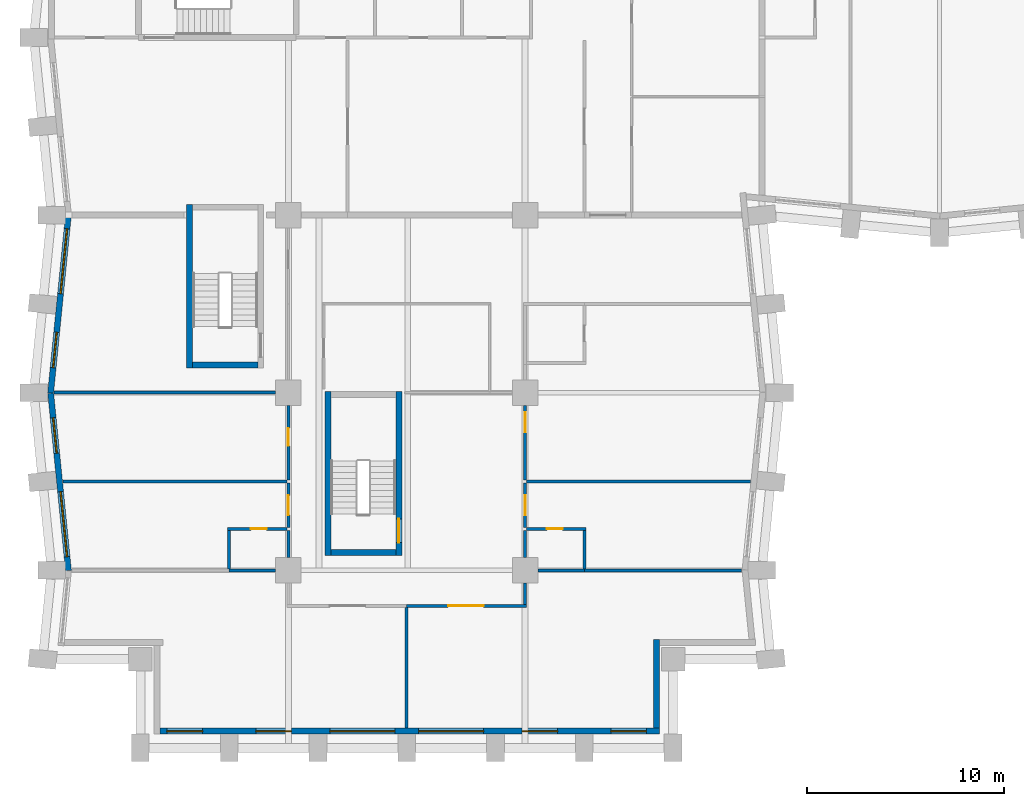
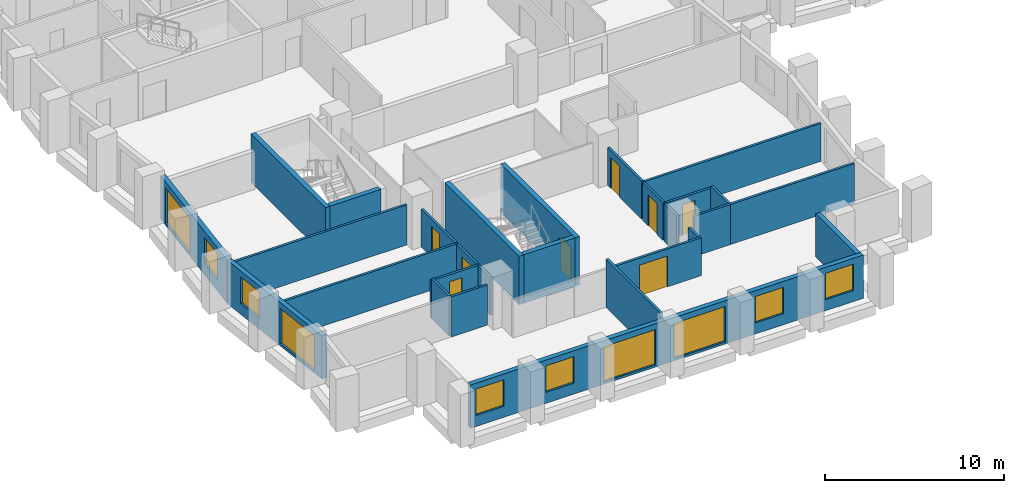
# One storey, part 3 of 12: 28 walls, 10 windows, 8 doors, 18 openings.
"""IFC4 building model written with IfcOpenShell, lengths in metres."""

from ifc_helpers import new_model, si_unit, direction, frame, frame_2d, origin, place, context, subcontext, project, spatial, rectangle, extrude, material, layer, layer_set, type_object, element, fill, save


model = new_model("IFC4")

# Units and contexts
model_context = context("Model", 3, precision=1e-05, world=origin(), true_north=direction((0.0, 1.0)))
body_context = subcontext(model_context, "Body", "Model", "MODEL_VIEW")
ifc_project = project(units=[si_unit("LENGTHUNIT", "METRE"), si_unit("AREAUNIT", "SQUARE_METRE"), si_unit("VOLUMEUNIT", "CUBIC_METRE"), si_unit("PLANEANGLEUNIT", "RADIAN"), si_unit("MASSUNIT", "GRAM", prefix="KILO")], contexts=[model_context])

# Site, building, storey
site_placement = place(None, origin())
site = spatial("IfcSite", under=ifc_project, at=site_placement, CompositionType="ELEMENT")
building_placement = place(site_placement, origin())
building = spatial("IfcBuilding", under=site, at=building_placement, Name="Brondeck Convention Tower", CompositionType="ELEMENT")
storey_placement = place(building_placement, frame((0.0, 0.0, 66.300048828125)))
storey = spatial("IfcBuildingStorey", under=building, at=storey_placement, Name="L14", CompositionType="ELEMENT", Elevation=66.300048828125)

# Wall, openings, windows
ifc_material_1 = material(Name="Precast concrete C50/60 bronze finish", Category="concrete")
ifc_layer_1 = layer(ifc_material_1, 0.070068359375, Name="Bronze precast facing")
ifc_material_2 = material(Name="Mineral wool")
ifc_layer_2 = layer(ifc_material_2, 0.159912109375, Name="Insulation")
ifc_material_3 = material(Name="Concrete C35/45", Category="concrete")
ifc_layer_3 = layer(ifc_material_3, 0.070068359375, Name="Backing")
ifc_layer_set_1 = layer_set([ifc_layer_1, ifc_layer_2, ifc_layer_3], Name="External infill wall, precast concrete C50/60 bronze facing")
wall_type_1 = type_object("IfcWallType", Name="External infill wall, precast concrete C50/60 bronze facing", PredefinedType="SOLIDWALL", material=ifc_layer_set_1)
wall_1_placement = place(storey_placement, frame((30.800048828125, 0.85009765625, 0.0), z_axis=(0.0, 0.0, 1.0), x_axis=(-1.0, 0.0, 0.0)))
wall_1 = element("IfcWall", 1, at=wall_1_placement, inside=storey, type_object=wall_type_1, Name="ENV-EW-L14-P0-B-S0-01", PredefinedType="SOLIDWALL", context=body_context, shape_type="SweptSolid", body=[
    extrude(rectangle(XDim=25.300048828125, YDim=0.300048828125, at=frame_2d((12.64990234375, 0.0))), origin(), (0.0, 0.0, 1.0), 2.949951171875),
])
opening_1_placement = place(wall_1_placement, frame((0.64990234375, 0.0, 0.75)))
opening_1 = element("IfcOpeningElement", 2, at=opening_1_placement, cuts=wall_1, Name="Opening W10", PredefinedType="OPENING", context=body_context, shape_type="SweptSolid", body=[
    extrude(rectangle(XDim=1.800048828125, YDim=1.800048828125, at=frame_2d((0.89990234375, 0.89990234375))), frame((0.0, 0.159912109375, 0.0), z_axis=(0.0, -1.0, 0.0), x_axis=(1.0, 0.0, 0.0)), (0.0, 0.0, 1.0), 0.320068359375),
])
opening_2_placement = place(wall_1_placement, frame((5.14990234375, 0.0, 0.75)))
opening_2 = element("IfcOpeningElement", 3, at=opening_2_placement, cuts=wall_1, Name="Opening W10", PredefinedType="OPENING", context=body_context, shape_type="SweptSolid", body=[
    extrude(rectangle(XDim=1.800048828125, YDim=1.800048828125, at=frame_2d((0.89990234375, 0.89990234375))), frame((0.0, 0.159912109375, 0.0), z_axis=(0.0, -1.0, 0.0), x_axis=(1.0, 0.0, 0.0)), (0.0, 0.0, 1.0), 0.320068359375),
])
opening_3_placement = place(wall_1_placement, frame((8.89990234375, 0.0, 0.14990234375)))
opening_3 = element("IfcOpeningElement", 4, at=opening_3_placement, cuts=wall_1, Name="Opening W9", PredefinedType="OPENING", context=body_context, shape_type="SweptSolid", body=[
    extrude(rectangle(XDim=3.300048828125, YDim=2.39990234375, at=frame_2d((1.64990234375, 1.199951171875))), frame((0.0, 0.159912109375, 0.0), z_axis=(0.0, -1.0, 0.0), x_axis=(1.0, 0.0, 0.0)), (0.0, 0.0, 1.0), 0.320068359375),
])
opening_4_placement = place(wall_1_placement, frame((13.39990234375, 0.0, 0.14990234375)))
opening_4 = element("IfcOpeningElement", 5, at=opening_4_placement, cuts=wall_1, Name="Opening W9", PredefinedType="OPENING", context=body_context, shape_type="SweptSolid", body=[
    extrude(rectangle(XDim=3.300048828125, YDim=2.39990234375, at=frame_2d((1.64990234375, 1.199951171875))), frame((0.0, 0.159912109375, 0.0), z_axis=(0.0, -1.0, 0.0), x_axis=(1.0, 0.0, 0.0)), (0.0, 0.0, 1.0), 0.320068359375),
])
opening_5_placement = place(wall_1_placement, frame((18.64990234375, 0.0, 0.75)))
opening_5 = element("IfcOpeningElement", 6, at=opening_5_placement, cuts=wall_1, Name="Opening W10", PredefinedType="OPENING", context=body_context, shape_type="SweptSolid", body=[
    extrude(rectangle(XDim=1.800048828125, YDim=1.800048828125, at=frame_2d((0.89990234375, 0.89990234375))), frame((0.0, 0.159912109375, 0.0), z_axis=(0.0, -1.0, 0.0), x_axis=(1.0, 0.0, 0.0)), (0.0, 0.0, 1.0), 0.320068359375),
])
opening_6_placement = place(wall_1_placement, frame((23.14990234375, 0.0, 0.75)))
opening_6 = element("IfcOpeningElement", 7, at=opening_6_placement, cuts=wall_1, Name="Opening W10", PredefinedType="OPENING", context=body_context, shape_type="SweptSolid", body=[
    extrude(rectangle(XDim=1.800048828125, YDim=1.800048828125, at=frame_2d((0.89990234375, 0.89990234375))), frame((0.0, 0.159912109375, 0.0), z_axis=(0.0, -1.0, 0.0), x_axis=(1.0, 0.0, 0.0)), (0.0, 0.0, 1.0), 0.320068359375),
])
ifc_material_4 = material(Name="Bronze tinted double glazing", Category="glass")
window_type_1 = type_object("IfcWindowType", Name="Glazed flute window, bronze tinted", PartitioningType="SINGLE_PANEL", PredefinedType="WINDOW", material=ifc_material_4)
window_1_placement = place(opening_3_placement, origin())
window_1 = element("IfcWindow", 8, at=window_1_placement, inside=storey, type_object=window_type_1, Name="ENV-WN-L14-P0-B-S0-04", OverallHeight=2.39990234375, OverallWidth=3.300048828125, PartitioningType="SINGLE_PANEL", PredefinedType="WINDOW", context=body_context, shape_type="SweptSolid", body=[
    extrude(rectangle(XDim=3.300048828125, YDim=2.39990234375, at=frame_2d((1.64990234375, 1.199951171875))), frame((0.0, 0.030029296875, 0.0), z_axis=(0.0, -1.0, 0.0), x_axis=(1.0, 0.0, 0.0)), (0.0, 0.0, 1.0), 0.06005859375),
])
fill(opening_3, window_1)
window_2_placement = place(opening_4_placement, origin())
window_2 = element("IfcWindow", 9, at=window_2_placement, inside=storey, type_object=window_type_1, Name="ENV-WN-L14-P0-B-S0-03", OverallHeight=2.39990234375, OverallWidth=3.300048828125, PartitioningType="SINGLE_PANEL", PredefinedType="WINDOW", context=body_context, shape_type="SweptSolid", body=[
    extrude(rectangle(XDim=3.300048828125, YDim=2.39990234375, at=frame_2d((1.64990234375, 1.199951171875))), frame((0.0, 0.030029296875, 0.0), z_axis=(0.0, -1.0, 0.0), x_axis=(1.0, 0.0, 0.0)), (0.0, 0.0, 1.0), 0.06005859375),
])
fill(opening_4, window_2)
window_type_2 = type_object("IfcWindowType", Name="Punched window, bronze tinted", PartitioningType="SINGLE_PANEL", PredefinedType="WINDOW", material=ifc_material_4)
window_3_placement = place(opening_1_placement, origin())
window_3 = element("IfcWindow", 10, at=window_3_placement, inside=storey, type_object=window_type_2, Name="ENV-WN-L14-P0-B-S0-06", OverallHeight=1.800048828125, OverallWidth=1.800048828125, PartitioningType="SINGLE_PANEL", PredefinedType="WINDOW", context=body_context, shape_type="SweptSolid", body=[
    extrude(rectangle(XDim=1.800048828125, YDim=1.800048828125, at=frame_2d((0.89990234375, 0.89990234375))), frame((0.0, 0.030029296875, 0.0), z_axis=(0.0, -1.0, 0.0), x_axis=(1.0, 0.0, 0.0)), (0.0, 0.0, 1.0), 0.06005859375),
])
fill(opening_1, window_3)
window_4_placement = place(opening_2_placement, origin())
window_4 = element("IfcWindow", 11, at=window_4_placement, inside=storey, type_object=window_type_2, Name="ENV-WN-L14-P0-B-S0-05", OverallHeight=1.800048828125, OverallWidth=1.800048828125, PartitioningType="SINGLE_PANEL", PredefinedType="WINDOW", context=body_context, shape_type="SweptSolid", body=[
    extrude(rectangle(XDim=1.800048828125, YDim=1.800048828125, at=frame_2d((0.89990234375, 0.89990234375))), frame((0.0, 0.030029296875, 0.0), z_axis=(0.0, -1.0, 0.0), x_axis=(1.0, 0.0, 0.0)), (0.0, 0.0, 1.0), 0.06005859375),
])
fill(opening_2, window_4)
window_5_placement = place(opening_5_placement, origin())
window_5 = element("IfcWindow", 12, at=window_5_placement, inside=storey, type_object=window_type_2, Name="ENV-WN-L14-P0-B-S0-02", OverallHeight=1.800048828125, OverallWidth=1.800048828125, PartitioningType="SINGLE_PANEL", PredefinedType="WINDOW", context=body_context, shape_type="SweptSolid", body=[
    extrude(rectangle(XDim=1.800048828125, YDim=1.800048828125, at=frame_2d((0.89990234375, 0.89990234375))), frame((0.0, 0.030029296875, 0.0), z_axis=(0.0, -1.0, 0.0), x_axis=(1.0, 0.0, 0.0)), (0.0, 0.0, 1.0), 0.06005859375),
])
fill(opening_5, window_5)
window_6_placement = place(opening_6_placement, origin())
window_6 = element("IfcWindow", 13, at=window_6_placement, inside=storey, type_object=window_type_2, Name="ENV-WN-L14-P0-B-S0-01", OverallHeight=1.800048828125, OverallWidth=1.800048828125, PartitioningType="SINGLE_PANEL", PredefinedType="WINDOW", context=body_context, shape_type="SweptSolid", body=[
    extrude(rectangle(XDim=1.800048828125, YDim=1.800048828125, at=frame_2d((0.89990234375, 0.89990234375))), frame((0.0, 0.030029296875, 0.0), z_axis=(0.0, -1.0, 0.0), x_axis=(1.0, 0.0, 0.0)), (0.0, 0.0, 1.0), 0.06005859375),
])
fill(opening_6, window_6)

# Wall
wall_2_placement = place(storey_placement, frame((30.64990234375, 5.5, 0.0), z_axis=(0.0, 0.0, 1.0), x_axis=(0.0, -1.0, 0.0)))
element("IfcWall", 14, at=wall_2_placement, inside=storey, type_object=wall_type_1, Name="ENV-EW-L14-P0-NC-SEB0-01", PredefinedType="SOLIDWALL", context=body_context, shape_type="SweptSolid", body=[
    extrude(rectangle(XDim=4.501953125, YDim=0.300048828125, at=frame_2d((2.2509765625, 0.0))), origin(), (0.0, 0.0, 1.0), 2.949951171875),
])

# Wall, openings, windows
wall_3_placement = place(storey_placement, frame((-0.04736328125, 17.985107421875, 0.0), z_axis=(0.0, 0.0, 1.0), x_axis=(0.099522457379, 0.995035316196, 0.0)))
wall_3 = element("IfcWall", 15, at=wall_3_placement, inside=storey, type_object=wall_type_1, Name="ENV-EW-L14-P0-B-W-08", PredefinedType="SOLIDWALL", context=body_context, shape_type="SweptSolid", body=[
    extrude(rectangle(XDim=9.030029296875, YDim=0.300048828125, at=frame_2d((4.51513671875, 0.0))), origin(), (0.0, 0.0, 1.0), 2.949951171875),
])
opening_7_placement = place(wall_3_placement, frame((1.291259765625, 0.0, 0.75)))
opening_7 = element("IfcOpeningElement", 16, at=opening_7_placement, cuts=wall_3, Name="Opening W10", PredefinedType="OPENING", context=body_context, shape_type="SweptSolid", body=[
    extrude(rectangle(XDim=1.800048828125, YDim=1.800048828125, at=frame_2d((0.89990234375, 0.89990234375))), frame((0.0, 0.159912109375, 0.0), z_axis=(0.0, -1.0, 0.0), x_axis=(1.0, 0.0, 0.0)), (0.0, 0.0, 1.0), 0.320068359375),
])
opening_8_placement = place(wall_3_placement, frame((5.063720703125, 0.0, 0.14990234375)))
opening_8 = element("IfcOpeningElement", 17, at=opening_8_placement, cuts=wall_3, Name="Opening W9", PredefinedType="OPENING", context=body_context, shape_type="SweptSolid", body=[
    extrude(rectangle(XDim=3.300048828125, YDim=2.39990234375, at=frame_2d((1.64990234375, 1.199951171875))), frame((0.0, 0.159912109375, 0.0), z_axis=(0.0, -1.0, 0.0), x_axis=(1.0, 0.0, 0.0)), (0.0, 0.0, 1.0), 0.320068359375),
])
window_7_placement = place(opening_8_placement, origin())
window_7 = element("IfcWindow", 18, at=window_7_placement, inside=storey, type_object=window_type_1, Name="ENV-WN-L14-P0-B-W-08", OverallHeight=2.39990234375, OverallWidth=3.300048828125, PartitioningType="SINGLE_PANEL", PredefinedType="WINDOW", context=body_context, shape_type="SweptSolid", body=[
    extrude(rectangle(XDim=3.300048828125, YDim=2.39990234375, at=frame_2d((1.64990234375, 1.199951171875))), frame((0.0, 0.030029296875, 0.0), z_axis=(0.0, -1.0, 0.0), x_axis=(1.0, 0.0, 0.0)), (0.0, 0.0, 1.0), 0.06005859375),
])
fill(opening_8, window_7)
window_8_placement = place(opening_7_placement, origin())
window_8 = element("IfcWindow", 19, at=window_8_placement, inside=storey, type_object=window_type_2, Name="ENV-WN-L14-P0-B-W-09", OverallHeight=1.800048828125, OverallWidth=1.800048828125, PartitioningType="SINGLE_PANEL", PredefinedType="WINDOW", context=body_context, shape_type="SweptSolid", body=[
    extrude(rectangle(XDim=1.800048828125, YDim=1.800048828125, at=frame_2d((0.89990234375, 0.89990234375))), frame((0.0, 0.030029296875, 0.0), z_axis=(0.0, -1.0, 0.0), x_axis=(1.0, 0.0, 0.0)), (0.0, 0.0, 1.0), 0.06005859375),
])
fill(opening_7, window_8)

wall_4_placement = place(storey_placement, frame((0.855712890625, 8.985107421875, 0.0), z_axis=(0.0, 0.0, 1.0), x_axis=(-0.099495688264, 0.995037993253, 0.0)))
wall_4 = element("IfcWall", 20, at=wall_4_placement, inside=storey, type_object=wall_type_1, Name="ENV-EW-L14-P0-B-W-10", PredefinedType="SOLIDWALL", context=body_context, shape_type="SweptSolid", body=[
    extrude(rectangle(XDim=9.030029296875, YDim=0.300048828125, at=frame_2d((4.51513671875, 0.0))), origin(), (0.0, 0.0, 1.0), 2.949951171875),
])
opening_9_placement = place(wall_4_placement, frame((0.711181640625, 0.0, 0.14990234375)))
opening_9 = element("IfcOpeningElement", 21, at=opening_9_placement, cuts=wall_4, Name="Opening W9", PredefinedType="OPENING", context=body_context, shape_type="SweptSolid", body=[
    extrude(rectangle(XDim=3.300048828125, YDim=2.39990234375, at=frame_2d((1.64990234375, 1.199951171875))), frame((0.0, 0.159912109375, 0.0), z_axis=(0.0, -1.0, 0.0), x_axis=(1.0, 0.0, 0.0)), (0.0, 0.0, 1.0), 0.320068359375),
])
opening_10_placement = place(wall_4_placement, frame((5.983642578125, 0.0, 0.75)))
opening_10 = element("IfcOpeningElement", 22, at=opening_10_placement, cuts=wall_4, Name="Opening W10", PredefinedType="OPENING", context=body_context, shape_type="SweptSolid", body=[
    extrude(rectangle(XDim=1.800048828125, YDim=1.800048828125, at=frame_2d((0.89990234375, 0.89990234375))), frame((0.0, 0.159912109375, 0.0), z_axis=(0.0, -1.0, 0.0), x_axis=(1.0, 0.0, 0.0)), (0.0, 0.0, 1.0), 0.320068359375),
])
window_9_placement = place(opening_9_placement, origin())
window_9 = element("IfcWindow", 23, at=window_9_placement, inside=storey, type_object=window_type_1, Name="ENV-WN-L14-P0-B-W-11", OverallHeight=2.39990234375, OverallWidth=3.300048828125, PartitioningType="SINGLE_PANEL", PredefinedType="WINDOW", context=body_context, shape_type="SweptSolid", body=[
    extrude(rectangle(XDim=3.300048828125, YDim=2.39990234375, at=frame_2d((1.64990234375, 1.199951171875))), frame((0.0, 0.030029296875, 0.0), z_axis=(0.0, -1.0, 0.0), x_axis=(1.0, 0.0, 0.0)), (0.0, 0.0, 1.0), 0.06005859375),
])
fill(opening_9, window_9)
window_10_placement = place(opening_10_placement, origin())
window_10 = element("IfcWindow", 24, at=window_10_placement, inside=storey, type_object=window_type_2, Name="ENV-WN-L14-P0-B-W-10", OverallHeight=1.800048828125, OverallWidth=1.800048828125, PartitioningType="SINGLE_PANEL", PredefinedType="WINDOW", context=body_context, shape_type="SweptSolid", body=[
    extrude(rectangle(XDim=1.800048828125, YDim=1.800048828125, at=frame_2d((0.89990234375, 0.89990234375))), frame((0.0, 0.030029296875, 0.0), z_axis=(0.0, -1.0, 0.0), x_axis=(1.0, 0.0, 0.0)), (0.0, 0.0, 1.0), 0.06005859375),
])
fill(opening_10, window_10)

# Wall
ifc_material_5 = material(Name="Double gypsum board acoustic wall")
ifc_layer_4 = layer(ifc_material_5, 0.14990234375)
ifc_layer_set_2 = layer_set([ifc_layer_4], Name="Guest room party wall 150")
wall_type_2 = type_object("IfcWallType", Name="Guest room party wall 150", PredefinedType="PARTITIONING", material=ifc_layer_set_2)
wall_5_placement = place(storey_placement, frame((18.0, 7.125, 0.0), z_axis=(0.0, 0.0, 1.0), x_axis=(0.0, -1.0, 0.0)))
element("IfcWall", 25, at=wall_5_placement, inside=storey, type_object=wall_type_2, Name="FLR-L14-W001", PredefinedType="PARTITIONING", context=body_context, shape_type="SweptSolid", body=[
    extrude(rectangle(XDim=6.10498046875, YDim=0.14990234375, at=frame_2d((3.052490234375, 0.0))), origin(), (0.0, 0.0, 1.0), 3.280029296875),
])

# Wall, opening, door
wall_6_placement = place(storey_placement, frame((24.074951171875, 7.199951171875, 0.0), z_axis=(0.0, 0.0, 1.0), x_axis=(-1.0, 0.0, 0.0)))
wall_6 = element("IfcWall", 26, at=wall_6_placement, inside=storey, type_object=wall_type_2, Name="FLR-L14-W003", PredefinedType="PARTITIONING", context=body_context, shape_type="SweptSolid", body=[
    extrude(rectangle(XDim=6.074951171875, YDim=0.14990234375, at=frame_2d((3.03759765625, 0.0))), origin(), (0.0, 0.0, 1.0), 2.579833984375),
])
opening_11_placement = place(wall_6_placement, frame((2.175048828125, 0.0, 0.0)))
opening_11 = element("IfcOpeningElement", 27, at=opening_11_placement, cuts=wall_6, Name="Opening H3-032", PredefinedType="OPENING", context=body_context, shape_type="SweptSolid", body=[
    extrude(rectangle(XDim=1.800048828125, YDim=2.10009765625, at=frame_2d((0.89990234375, 1.050048828125))), frame((0.0, 0.0849609375, 0.0), z_axis=(0.0, -1.0, 0.0), x_axis=(1.0, 0.0, 0.0)), (0.0, 0.0, 1.0), 0.169921875),
])
ifc_material_6 = material(Name="Glazed timber double door", Category="wood")
door_type_1 = type_object("IfcDoorType", Name="Double door 1800", OperationType="DOUBLE_DOOR_SINGLE_SWING", PredefinedType="DOOR", material=ifc_material_6)
door_1_placement = place(opening_11_placement, origin())
door_1 = element("IfcDoor", 28, at=door_1_placement, inside=storey, type_object=door_type_1, Name="Door H3-032", OperationType="DOUBLE_DOOR_SINGLE_SWING", OverallHeight=2.10009765625, OverallWidth=1.800048828125, PredefinedType="DOOR", context=body_context, shape_type="SweptSolid", body=[
    extrude(rectangle(XDim=1.800048828125, YDim=2.10009765625, at=frame_2d((0.89990234375, 1.050048828125))), frame((0.0, 0.02490234375, 0.0), z_axis=(0.0, -1.0, 0.0), x_axis=(1.0, 0.0, 0.0)), (0.0, 0.0, 1.0), 0.050048828125),
])
fill(opening_11, door_1)

# Walls
wall_7_placement = place(storey_placement, frame((24.0, 8.344970703125, 0.0), z_axis=(0.0, 0.0, 1.0), x_axis=(0.0, -1.0, 0.0)))
element("IfcWall", 29, at=wall_7_placement, inside=storey, type_object=wall_type_2, Name="FLR-L14-W005", PredefinedType="PARTITIONING", context=body_context, shape_type="SweptSolid", body=[
    extrude(rectangle(XDim=1.070068359375, YDim=0.14990234375, at=frame_2d((0.53515625, 0.0))), origin(), (0.0, 0.0, 1.0), 2.579833984375),
])
for number, where, z_axis, x_axis, name in (
    (30, (11.344970703125, 9.0, 0.0), (0.0, 0.0, 1.0), (-1.0, 0.0, 0.0), "FLR-L14-W007"),
    (31, (27.0, 9.0, 0.0), (0.0, 0.0, 1.0), (-1.0, 0.0, 0.0), "FLR-L14-W008"),
):
    element("IfcWall", number, at=place(storey_placement, frame(where, z_axis=z_axis, x_axis=x_axis)), inside=storey, type_object=wall_type_2, Name=name, PredefinedType="PARTITIONING", context=body_context, shape_type="SweptSolid", body=[
        extrude(rectangle(XDim=2.344970703125, YDim=0.14990234375, at=frame_2d((1.17236328125, 0.0))), origin(), (0.0, 0.0, 1.0), 2.72998046875),
    ])
wall_8_placement = place(storey_placement, frame((34.97509765625, 9.0, 0.0), z_axis=(0.0, 0.0, 1.0), x_axis=(-1.0, 0.0, 0.0)))
element("IfcWall", 32, at=wall_8_placement, inside=storey, type_object=wall_type_2, Name="FLR-L14-W009", PredefinedType="PARTITIONING", context=body_context, shape_type="SweptSolid", body=[
    extrude(rectangle(XDim=7.97509765625, YDim=0.14990234375, at=frame_2d((3.987548828125, 0.0))), origin(), (0.0, 0.0, 1.0), 2.72998046875),
])
wall_9_placement = place(storey_placement, frame((27.0, 9.074951171875, 0.0), z_axis=(0.0, 0.0, 1.0), x_axis=(0.0, 1.0, 0.0)))
element("IfcWall", 33, at=wall_9_placement, inside=storey, type_object=wall_type_2, Name="FLR-L14-W010", PredefinedType="PARTITIONING", context=body_context, shape_type="SweptSolid", body=[
    extrude(rectangle(XDim=1.949951171875, YDim=0.14990234375, at=frame_2d((0.97509765625, 0.0))), origin(), (0.0, 0.0, 1.0), 2.72998046875),
])
wall_10_placement = place(storey_placement, frame((12.0, 9.655029296875, 0.0), z_axis=(0.0, 0.0, 1.0), x_axis=(0.0, 1.0, 0.0)))
element("IfcWall", 34, at=wall_10_placement, inside=storey, type_object=wall_type_2, Name="FLR-L14-W011", PredefinedType="PARTITIONING", context=body_context, shape_type="SweptSolid", body=[
    extrude(rectangle(XDim=1.369873046875, YDim=0.14990234375, at=frame_2d((0.68505859375, 0.0))), origin(), (0.0, 0.0, 1.0), 2.579833984375),
])
wall_11_placement = place(storey_placement, frame((9.0, 11.02490234375, 0.0), z_axis=(0.0, 0.0, 1.0), x_axis=(0.0, -1.0, 0.0)))
element("IfcWall", 35, at=wall_11_placement, inside=storey, type_object=wall_type_2, Name="FLR-L14-W012", PredefinedType="PARTITIONING", context=body_context, shape_type="SweptSolid", body=[
    extrude(rectangle(XDim=1.949951171875, YDim=0.14990234375, at=frame_2d((0.97509765625, 0.0))), origin(), (0.0, 0.0, 1.0), 2.72998046875),
])
wall_12_placement = place(storey_placement, frame((24.0, 11.02490234375, 0.0), z_axis=(0.0, 0.0, 1.0), x_axis=(0.0, -1.0, 0.0)))
element("IfcWall", 36, at=wall_12_placement, inside=storey, type_object=wall_type_2, Name="FLR-L14-W013", PredefinedType="PARTITIONING", context=body_context, shape_type="SweptSolid", body=[
    extrude(rectangle(XDim=1.369873046875, YDim=0.14990234375, at=frame_2d((0.68505859375, 0.0))), origin(), (0.0, 0.0, 1.0), 2.579833984375),
])

# Wall, opening, door
wall_13_placement = place(storey_placement, frame((11.925048828125, 11.10009765625, 0.0), z_axis=(0.0, 0.0, 1.0), x_axis=(-1.0, 0.0, 0.0)))
wall_13 = element("IfcWall", 37, at=wall_13_placement, inside=storey, type_object=wall_type_2, Name="FLR-L14-W014", PredefinedType="PARTITIONING", context=body_context, shape_type="SweptSolid", body=[
    extrude(rectangle(XDim=3.0, YDim=0.14990234375, at=frame_2d((1.5, 0.0))), origin(), (0.0, 0.0, 1.0), 2.579833984375),
])
opening_12_placement = place(wall_13_placement, frame((1.02490234375, 0.0, 0.0)))
opening_12 = element("IfcOpeningElement", 38, at=opening_12_placement, cuts=wall_13, Name="Opening H3-025", PredefinedType="OPENING", context=body_context, shape_type="SweptSolid", body=[
    extrude(rectangle(XDim=0.800048828125, YDim=2.10009765625, at=frame_2d((0.39990234375, 1.050048828125))), frame((0.0, 0.0849609375, 0.0), z_axis=(0.0, -1.0, 0.0), x_axis=(1.0, 0.0, 0.0)), (0.0, 0.0, 1.0), 0.169921875),
])
ifc_material_7 = material(Name="Solid timber door leaf", Category="wood")
door_type_2 = type_object("IfcDoorType", Name="En-suite door 800", OperationType="NOTDEFINED", PredefinedType="DOOR", material=ifc_material_7)
door_2_placement = place(opening_12_placement, origin())
door_2 = element("IfcDoor", 39, at=door_2_placement, inside=storey, type_object=door_type_2, Name="Door H3-025", OperationType="SINGLE_SWING_LEFT", OverallHeight=2.10009765625, OverallWidth=0.800048828125, PredefinedType="DOOR", context=body_context, shape_type="SweptSolid", body=[
    extrude(rectangle(XDim=0.800048828125, YDim=2.10009765625, at=frame_2d((0.39990234375, 1.050048828125))), frame((0.0, 0.02490234375, 0.0), z_axis=(0.0, -1.0, 0.0), x_axis=(1.0, 0.0, 0.0)), (0.0, 0.0, 1.0), 0.050048828125),
])
fill(opening_12, door_2)

wall_14_placement = place(storey_placement, frame((27.074951171875, 11.10009765625, 0.0), z_axis=(0.0, 0.0, 1.0), x_axis=(-1.0, 0.0, 0.0)))
wall_14 = element("IfcWall", 40, at=wall_14_placement, inside=storey, type_object=wall_type_2, Name="FLR-L14-W015", PredefinedType="PARTITIONING", context=body_context, shape_type="SweptSolid", body=[
    extrude(rectangle(XDim=3.0, YDim=0.14990234375, at=frame_2d((1.5, 0.0))), origin(), (0.0, 0.0, 1.0), 2.579833984375),
])
opening_13_placement = place(wall_14_placement, frame((1.175048828125, 0.0, 0.0)))
opening_13 = element("IfcOpeningElement", 41, at=opening_13_placement, cuts=wall_14, Name="Opening H3-029", PredefinedType="OPENING", context=body_context, shape_type="SweptSolid", body=[
    extrude(rectangle(XDim=0.800048828125, YDim=2.10009765625, at=frame_2d((0.39990234375, 1.050048828125))), frame((0.0, 0.0849609375, 0.0), z_axis=(0.0, -1.0, 0.0), x_axis=(1.0, 0.0, 0.0)), (0.0, 0.0, 1.0), 0.169921875),
])
door_3_placement = place(opening_13_placement, origin())
door_3 = element("IfcDoor", 42, at=door_3_placement, inside=storey, type_object=door_type_2, Name="Door H3-029", OperationType="SINGLE_SWING_LEFT", OverallHeight=2.10009765625, OverallWidth=0.800048828125, PredefinedType="DOOR", context=body_context, shape_type="SweptSolid", body=[
    extrude(rectangle(XDim=0.800048828125, YDim=2.10009765625, at=frame_2d((0.39990234375, 1.050048828125))), frame((0.0, 0.02490234375, 0.0), z_axis=(0.0, -1.0, 0.0), x_axis=(1.0, 0.0, 0.0)), (0.0, 0.0, 1.0), 0.050048828125),
])
fill(opening_13, door_3)

wall_15_placement = place(storey_placement, frame((12.0, 11.175048828125, 0.0), z_axis=(0.0, 0.0, 1.0), x_axis=(0.0, 1.0, 0.0)))
wall_15 = element("IfcWall", 43, at=wall_15_placement, inside=storey, type_object=wall_type_2, Name="FLR-L14-W016", PredefinedType="PARTITIONING", context=body_context, shape_type="SweptSolid", body=[
    extrude(rectangle(XDim=2.25, YDim=0.14990234375, at=frame_2d((1.125, 0.0))), origin(), (0.0, 0.0, 1.0), 2.579833984375),
])
opening_14_placement = place(wall_15_placement, frame((0.625, 0.0, 0.0)))
opening_14 = element("IfcOpeningElement", 44, at=opening_14_placement, cuts=wall_15, Name="Opening H3-024", PredefinedType="OPENING", context=body_context, shape_type="SweptSolid", body=[
    extrude(rectangle(XDim=1.0, YDim=2.10009765625, at=frame_2d((0.5, 1.050048828125))), frame((0.0, 0.0849609375, 0.0), z_axis=(0.0, -1.0, 0.0), x_axis=(1.0, 0.0, 0.0)), (0.0, 0.0, 1.0), 0.169921875),
])
ifc_material_8 = material(Name="Solid timber fire door leaf", Category="wood")
door_type_3 = type_object("IfcDoorType", Name="Guest room door 1000", OperationType="NOTDEFINED", PredefinedType="DOOR", material=ifc_material_8)
door_4_placement = place(opening_14_placement, origin())
door_4 = element("IfcDoor", 45, at=door_4_placement, inside=storey, type_object=door_type_3, Name="Door H3-024", OperationType="SINGLE_SWING_LEFT", OverallHeight=2.10009765625, OverallWidth=1.0, PredefinedType="DOOR", context=body_context, shape_type="SweptSolid", body=[
    extrude(rectangle(XDim=1.0, YDim=2.10009765625, at=frame_2d((0.5, 1.050048828125))), frame((0.0, 0.02490234375, 0.0), z_axis=(0.0, -1.0, 0.0), x_axis=(1.0, 0.0, 0.0)), (0.0, 0.0, 1.0), 0.050048828125),
])
fill(opening_14, door_4)

wall_16_placement = place(storey_placement, frame((24.0, 13.425048828125, 0.0), z_axis=(0.0, 0.0, 1.0), x_axis=(0.0, -1.0, 0.0)))
wall_16 = element("IfcWall", 46, at=wall_16_placement, inside=storey, type_object=wall_type_2, Name="FLR-L14-W017", PredefinedType="PARTITIONING", context=body_context, shape_type="SweptSolid", body=[
    extrude(rectangle(XDim=2.25, YDim=0.14990234375, at=frame_2d((1.125, 0.0))), origin(), (0.0, 0.0, 1.0), 2.579833984375),
])
opening_15_placement = place(wall_16_placement, frame((0.625, 0.0, 0.0)))
opening_15 = element("IfcOpeningElement", 47, at=opening_15_placement, cuts=wall_16, Name="Opening H3-028", PredefinedType="OPENING", context=body_context, shape_type="SweptSolid", body=[
    extrude(rectangle(XDim=1.0, YDim=2.10009765625, at=frame_2d((0.5, 1.050048828125))), frame((0.0, 0.0849609375, 0.0), z_axis=(0.0, -1.0, 0.0), x_axis=(1.0, 0.0, 0.0)), (0.0, 0.0, 1.0), 0.169921875),
])
door_5_placement = place(opening_15_placement, origin())
door_5 = element("IfcDoor", 48, at=door_5_placement, inside=storey, type_object=door_type_3, Name="Door H3-028", OperationType="SINGLE_SWING_LEFT", OverallHeight=2.10009765625, OverallWidth=1.0, PredefinedType="DOOR", context=body_context, shape_type="SweptSolid", body=[
    extrude(rectangle(XDim=1.0, YDim=2.10009765625, at=frame_2d((0.5, 1.050048828125))), frame((0.0, 0.02490234375, 0.0), z_axis=(0.0, -1.0, 0.0), x_axis=(1.0, 0.0, 0.0)), (0.0, 0.0, 1.0), 0.050048828125),
])
fill(opening_15, door_5)

# Walls
for number, where, z_axis, x_axis, name in (
    (49, (11.925048828125, 13.5, 0.0), (0.0, 0.0, 1.0), (-1.0, 0.0, 0.0), "FLR-L14-W018"),
    (50, (35.425048828125, 13.5, 0.0), (0.0, 0.0, 1.0), (-1.0, 0.0, 0.0), "FLR-L14-W019"),
):
    element("IfcWall", number, at=place(storey_placement, frame(where, z_axis=z_axis, x_axis=x_axis)), inside=storey, type_object=wall_type_2, Name=name, PredefinedType="PARTITIONING", context=body_context, shape_type="SweptSolid", body=[
        extrude(rectangle(XDim=11.35009765625, YDim=0.14990234375, at=frame_2d((5.675048828125, 0.0))), origin(), (0.0, 0.0, 1.0), 2.579833984375),
    ])

# Wall, opening, door
wall_17_placement = place(storey_placement, frame((12.0, 13.574951171875, 0.0), z_axis=(0.0, 0.0, 1.0), x_axis=(0.0, 1.0, 0.0)))
wall_17 = element("IfcWall", 51, at=wall_17_placement, inside=storey, type_object=wall_type_2, Name="FLR-L14-W020", PredefinedType="PARTITIONING", context=body_context, shape_type="SweptSolid", body=[
    extrude(rectangle(XDim=3.77001953125, YDim=0.14990234375, at=frame_2d((1.885009765625, 0.0))), origin(), (0.0, 0.0, 1.0), 2.579833984375),
])
opening_16_placement = place(wall_17_placement, frame((1.72509765625, 0.0, 0.0)))
opening_16 = element("IfcOpeningElement", 52, at=opening_16_placement, cuts=wall_17, Name="Opening H3-023", PredefinedType="OPENING", context=body_context, shape_type="SweptSolid", body=[
    extrude(rectangle(XDim=0.89990234375, YDim=2.10009765625, at=frame_2d((0.449951171875, 1.050048828125))), frame((0.0, 0.0849609375, 0.0), z_axis=(0.0, -1.0, 0.0), x_axis=(1.0, 0.0, 0.0)), (0.0, 0.0, 1.0), 0.169921875),
])
door_type_4 = type_object("IfcDoorType", Name="Single door 900", OperationType="NOTDEFINED", PredefinedType="DOOR", material=ifc_material_7)
door_6_placement = place(opening_16_placement, origin())
door_6 = element("IfcDoor", 53, at=door_6_placement, inside=storey, type_object=door_type_4, Name="Door H3-023", OperationType="SINGLE_SWING_LEFT", OverallHeight=2.10009765625, OverallWidth=0.89990234375, PredefinedType="DOOR", context=body_context, shape_type="SweptSolid", body=[
    extrude(rectangle(XDim=0.89990234375, YDim=2.10009765625, at=frame_2d((0.449951171875, 1.050048828125))), frame((0.0, 0.02490234375, 0.0), z_axis=(0.0, -1.0, 0.0), x_axis=(1.0, 0.0, 0.0)), (0.0, 0.0, 1.0), 0.050048828125),
])
fill(opening_16, door_6)

wall_18_placement = place(storey_placement, frame((24.0, 17.344970703125, 0.0), z_axis=(0.0, 0.0, 1.0), x_axis=(0.0, -1.0, 0.0)))
wall_18 = element("IfcWall", 54, at=wall_18_placement, inside=storey, type_object=wall_type_2, Name="FLR-L14-W021", PredefinedType="PARTITIONING", context=body_context, shape_type="SweptSolid", body=[
    extrude(rectangle(XDim=3.77001953125, YDim=0.14990234375, at=frame_2d((1.885009765625, 0.0))), origin(), (0.0, 0.0, 1.0), 2.579833984375),
])
opening_17_placement = place(wall_18_placement, frame((0.344970703125, 0.0, 0.0)))
opening_17 = element("IfcOpeningElement", 55, at=opening_17_placement, cuts=wall_18, Name="Opening H3-026", PredefinedType="OPENING", context=body_context, shape_type="SweptSolid", body=[
    extrude(rectangle(XDim=1.0, YDim=2.10009765625, at=frame_2d((0.5, 1.050048828125))), frame((0.0, 0.0849609375, 0.0), z_axis=(0.0, -1.0, 0.0), x_axis=(1.0, 0.0, 0.0)), (0.0, 0.0, 1.0), 0.169921875),
])
door_7_placement = place(opening_17_placement, origin())
door_7 = element("IfcDoor", 56, at=door_7_placement, inside=storey, type_object=door_type_3, Name="Door H3-026", OperationType="SINGLE_SWING_RIGHT", OverallHeight=2.10009765625, OverallWidth=1.0, PredefinedType="DOOR", context=body_context, shape_type="SweptSolid", body=[
    extrude(rectangle(XDim=1.0, YDim=2.10009765625, at=frame_2d((0.5, 1.050048828125))), frame((0.0, 0.02490234375, 0.0), z_axis=(0.0, -1.0, 0.0), x_axis=(1.0, 0.0, 0.0)), (0.0, 0.0, 1.0), 0.050048828125),
])
fill(opening_17, door_7)

# Walls
wall_19_placement = place(storey_placement, frame((11.344970703125, 18.0, 0.0), z_axis=(0.0, 0.0, 1.0), x_axis=(-1.0, 0.0, 0.0)))
element("IfcWall", 57, at=wall_19_placement, inside=storey, type_object=wall_type_2, Name="FLR-L14-W022", PredefinedType="PARTITIONING", context=body_context, shape_type="SweptSolid", body=[
    extrude(rectangle(XDim=11.219970703125, YDim=0.14990234375, at=frame_2d((5.60986328125, 0.0))), origin(), (0.0, 0.0, 1.0), 2.72998046875),
])
ifc_material_9 = material(Name="Concrete C80/95", Category="concrete")
ifc_layer_5 = layer(ifc_material_9, 0.300048828125)
ifc_layer_set_3 = layer_set([ifc_layer_5], Name="Stair enclosure wall 300 Concrete C80/95")
wall_type_3 = type_object("IfcWallType", Name="Stair enclosure wall 300 Concrete C80/95", PredefinedType="SHEAR", material=ifc_layer_set_3)
for number, where, z_axis, x_axis, name in (
    (58, (14.14990234375, 9.89990234375, 0.0), (0.0, 0.0, 1.0), (1.0, 0.0, 0.0), "L14 core wall"),
    (59, (7.14990234375, 19.39990234375, 0.0), (0.0, 0.0, 1.0), (1.0, 0.0, 0.0), "L14 core wall"),
):
    element("IfcWall", number, at=place(storey_placement, frame(where, z_axis=z_axis, x_axis=x_axis)), inside=storey, type_object=wall_type_3, Name=name, PredefinedType="SHEAR", context=body_context, shape_type="SweptSolid", body=[
        extrude(rectangle(XDim=3.300048828125, YDim=0.300048828125, at=frame_2d((1.64990234375, 0.0))), origin(), (0.0, 0.0, 1.0), 3.300048828125),
    ])
for number, where, z_axis, x_axis, name in (
    (60, (7.0, 19.25, 0.0), (0.0, 0.0, 1.0), (0.0, 1.0, 0.0), "L14 core wall"),
    (61, (14.0, 9.75, 0.0), (0.0, 0.0, 1.0), (0.0, 1.0, 0.0), "L14 core wall"),
):
    element("IfcWall", number, at=place(storey_placement, frame(where, z_axis=z_axis, x_axis=x_axis)), inside=storey, type_object=wall_type_3, Name=name, PredefinedType="SHEAR", context=body_context, shape_type="SweptSolid", body=[
        extrude(rectangle(XDim=8.300048828125, YDim=0.300048828125, at=frame_2d((4.14990234375, 0.0))), origin(), (0.0, 0.0, 1.0), 3.300048828125),
    ])

# Wall, opening, door
wall_20_placement = place(storey_placement, frame((17.60009765625, 9.75, 0.0), z_axis=(0.0, 0.0, 1.0), x_axis=(0.0, 1.0, 0.0)))
wall_20 = element("IfcWall", 62, at=wall_20_placement, inside=storey, type_object=wall_type_3, Name="L14 core wall", PredefinedType="SHEAR", context=body_context, shape_type="SweptSolid", body=[
    extrude(rectangle(XDim=8.300048828125, YDim=0.300048828125, at=frame_2d((4.14990234375, 0.0))), origin(), (0.0, 0.0, 1.0), 3.300048828125),
])
opening_18_placement = place(wall_20_placement, frame((0.64990234375, 0.0, 0.0)))
opening_18 = element("IfcOpeningElement", 63, at=opening_18_placement, cuts=wall_20, Name="Opening C10-21", PredefinedType="OPENING", context=body_context, shape_type="SweptSolid", body=[
    extrude(rectangle(XDim=1.199951171875, YDim=2.199951171875, at=frame_2d((0.60009765625, 1.10009765625))), frame((0.0, 0.159912109375, 0.0), z_axis=(0.0, -1.0, 0.0), x_axis=(1.0, 0.0, 0.0)), (0.0, 0.0, 1.0), 0.320068359375),
])
ifc_material_10 = material(Name="Steel fire door", Category="steel")
door_type_5 = type_object("IfcDoorType", Name="Stair door 1200x2200 EI 90", OperationType="NOTDEFINED", PredefinedType="DOOR", material=ifc_material_10)
door_8_placement = place(opening_18_placement, origin())
door_8 = element("IfcDoor", 64, at=door_8_placement, inside=storey, type_object=door_type_5, Name="L14 Stair door ST-BF", OperationType="SINGLE_SWING_LEFT", OverallHeight=2.199951171875, OverallWidth=1.199951171875, PredefinedType="DOOR", context=body_context, shape_type="SweptSolid", body=[
    extrude(rectangle(XDim=1.199951171875, YDim=2.199951171875, at=frame_2d((0.60009765625, 1.10009765625))), frame((0.0, 0.02490234375, 0.0), z_axis=(0.0, -1.0, 0.0), x_axis=(1.0, 0.0, 0.0)), (0.0, 0.0, 1.0), 0.050048828125),
])
fill(opening_18, door_8)

save(model, "model.ifc")
